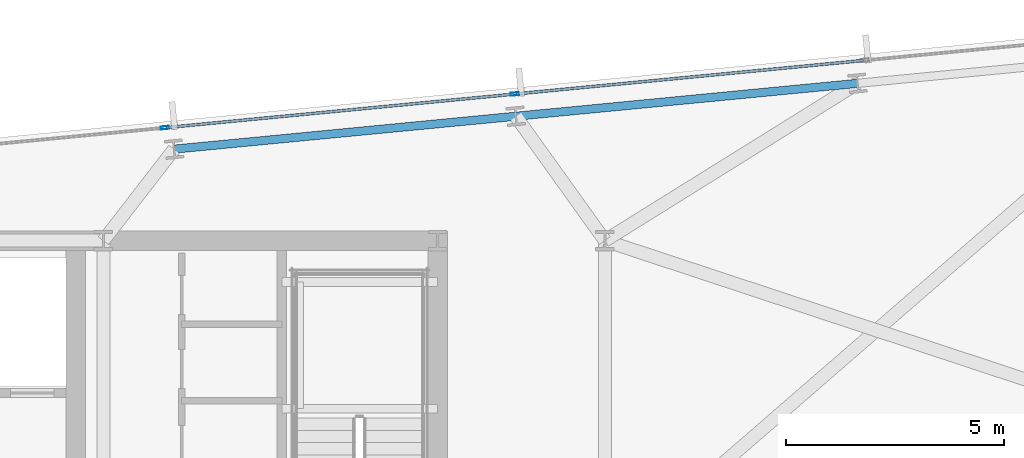
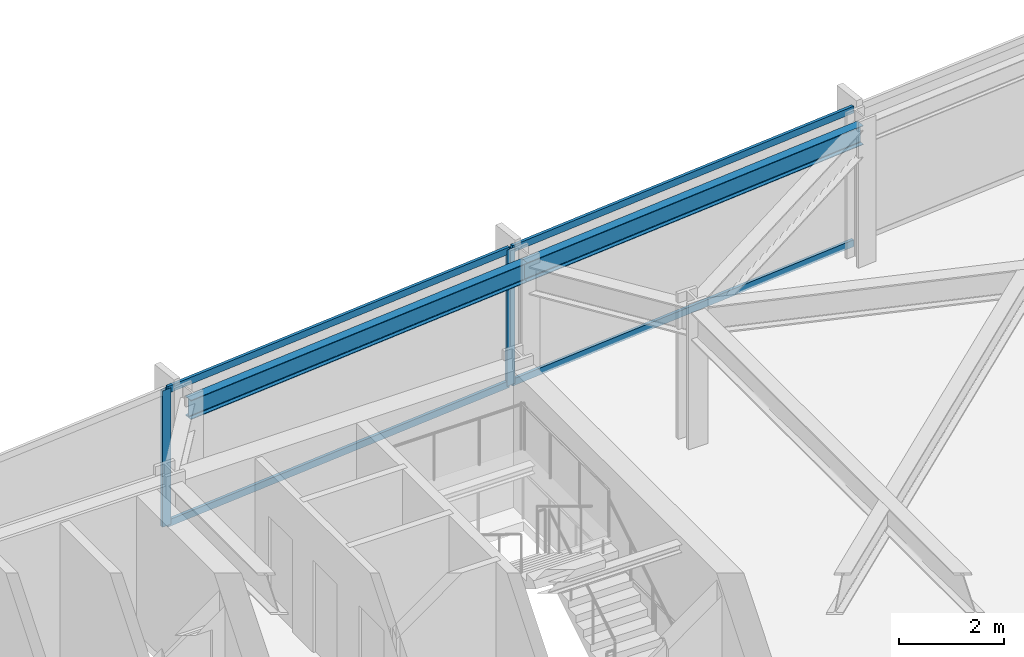
# One storey, part 21 of 33: 6 members, 2 beams, 1 element without a shape of its own.
"""IFC4 building model written with IfcOpenShell, lengths in metres."""

from ifc_helpers import new_model, si_unit, direction, frame, origin, origin_2d, place, context, subcontext, project, spatial, hollow_rectangle, i_section, extrude, material, material_profile, profile_set, type_object, element, aggregate, save


model = new_model("IFC4")

# Units and contexts
model_context = context("Model", 3, precision=1e-05, world=origin(), true_north=direction((0.0, 1.0)))
body_context = subcontext(model_context, "Body", "Model", "MODEL_VIEW")
ifc_project = project(units=[si_unit("LENGTHUNIT", "METRE"), si_unit("AREAUNIT", "SQUARE_METRE"), si_unit("VOLUMEUNIT", "CUBIC_METRE"), si_unit("PLANEANGLEUNIT", "RADIAN"), si_unit("MASSUNIT", "GRAM", prefix="KILO")], contexts=[model_context])

# Site, building, storey
site_placement = place(None, origin())
site = spatial("IfcSite", under=ifc_project, at=site_placement, CompositionType="ELEMENT")
building_placement = place(site_placement, origin())
building = spatial("IfcBuilding", under=site, at=building_placement, Name="Yelkora Congress Tower", CompositionType="ELEMENT")
storey_placement = place(building_placement, frame((0.0, 0.0, 127.10009765625)))
storey = spatial("IfcBuildingStorey", under=building, at=storey_placement, Name="L34", CompositionType="ELEMENT", Elevation=127.10009765625)

# Beams
ifc_material_1 = material(Name="Steel S355J2", Category="steel")
ifc_material_profile_1 = material_profile(ifc_material_1, i_section(OverallWidth=0.18994140625, OverallDepth=0.449951171875, WebThickness=0.009521484375, FlangeThickness=0.0146484375, FilletRadius=0.02099609375, at=origin_2d()), Name="IPE 450")
ifc_profile_set_1 = profile_set([ifc_material_profile_1], Name="Steel S355J2")
beam_type = type_object("IfcBeamType", Name="BM-SPAN-IPE450", PredefinedType="SPANDREL", material=ifc_profile_set_1)
for number, where, z_axis, x_axis, name in (
    (1, (63.4033203125, 49.81201171875, 2.954833984375), (-0.995398529126, -0.09582154358, 0.0), (0.09582154358, -0.995398529126, 0.0), "L34 Perimeter Beam 15"),
    (2, (55.553955078125, 49.056396484375, 2.954833984375), (-0.995395575667, -0.095852219286, 0.0), (0.095852219286, -0.995395575667, 0.0), "L34 Perimeter Beam 16"),
):
    element("IfcBeam", number, at=place(storey_placement, frame(where, z_axis=z_axis, x_axis=x_axis)), inside=storey, type_object=beam_type, Name=name, PredefinedType="SPANDREL", context=body_context, shape_type="SweptSolid", body=[
        extrude(i_section(OverallWidth=0.18994140625, OverallDepth=0.449951171875, WebThickness=0.009521484375, FlangeThickness=0.0146484375, FilletRadius=0.02099609375, at=origin_2d()), origin(), (0.0, 0.0, 1.0), 7.8857421875),
    ])

# Curtain wall, members
ifc_material_2 = material(Name="Anodised aluminium and insulated glass", Category="aluminium")
curtain_wall_type = type_object("IfcCurtainWallType", Name="CW-SYS-B2", PredefinedType="NOTDEFINED", material=ifc_material_2)
curtain_wall_placement = place(storey_placement, origin())
curtain_wall = element("IfcCurtainWall", 3, at=curtain_wall_placement, inside=storey, type_object=curtain_wall_type, Name="L34 Unitised Curtain Wall 10 (3)", PredefinedType="NOTDEFINED")
ifc_material_3 = material(Name="Anodised aluminium 6063-T6", Category="aluminium")
ifc_material_profile_2 = material_profile(ifc_material_3, hollow_rectangle(XDim=0.070068359375, YDim=0.18994140625, WallThickness=0.00390625, at=origin_2d()), Name="ALU 70x190x4")
ifc_profile_set_2 = profile_set([ifc_material_profile_2], Name="Anodised aluminium 6063-T6")
member_type_1 = type_object("IfcMemberType", Name="MEM-ML-B2", PredefinedType="MULLION", material=ifc_profile_set_2)
member_1_placement = place(storey_placement, frame((47.491943359375, 48.79248046875, 0.0), z_axis=(0.0, 0.0, 1.0), x_axis=(-0.095844238468, 0.995396344153, 0.0)))
member_1 = element("IfcMember", 4, at=member_1_placement, type_object=member_type_1, Name="CW-B2 mullion 4", PredefinedType="MULLION", context=body_context, shape_type="SweptSolid", body=[
    extrude(hollow_rectangle(XDim=0.070068359375, YDim=0.18994140625, WallThickness=0.00390625, at=origin_2d()), origin(), (0.0, 0.0, 1.0), 3.179931640625),
])
member_2_placement = place(storey_placement, frame((55.531982421875, 49.566650390625, 0.0), z_axis=(0.0, 0.0, 1.0), x_axis=(-0.095844238468, 0.995396344153, 0.0)))
member_2 = element("IfcMember", 5, at=member_2_placement, type_object=member_type_1, Name="CW-B2 mullion 5", PredefinedType="MULLION", context=body_context, shape_type="SweptSolid", body=[
    extrude(hollow_rectangle(XDim=0.070068359375, YDim=0.18994140625, WallThickness=0.00390625, at=origin_2d()), origin(), (0.0, 0.0, 1.0), 3.179931640625),
])
ifc_material_profile_3 = material_profile(ifc_material_3, hollow_rectangle(XDim=0.06494140625, YDim=0.159912109375, WallThickness=0.00390625, at=origin_2d()), Name="ALU 65x160x4")
ifc_profile_set_3 = profile_set([ifc_material_profile_3], Name="Anodised aluminium 6063-T6")
member_type_2 = type_object("IfcMemberType", Name="MEM-TR-B2", PredefinedType="USERDEFINED", material=ifc_profile_set_3)
member_3_placement = place(storey_placement, frame((47.52685546875, 48.7958984375, 0.032470703125), z_axis=(0.995397513894, 0.095832089266, 0.0), x_axis=(-0.095832089266, 0.995397513894, 0.0)))
member_3 = element("IfcMember", 6, at=member_3_placement, type_object=member_type_2, Name="CW-B2 transom 4.1", ObjectType="TRANSOM", PredefinedType="USERDEFINED", context=body_context, shape_type="SweptSolid", body=[
    extrude(hollow_rectangle(XDim=0.06494140625, YDim=0.159912109375, WallThickness=0.00390625, at=origin_2d()), origin(), (0.0, 0.0, 1.0), 8.007080078125),
])
member_4_placement = place(storey_placement, frame((47.52685546875, 48.7958984375, 3.1474609375), z_axis=(0.995397513894, 0.095832089266, 0.0), x_axis=(-0.095832089266, 0.995397513894, 0.0)))
member_4 = element("IfcMember", 7, at=member_4_placement, type_object=member_type_2, Name="CW-B2 transom 4.2", ObjectType="TRANSOM", PredefinedType="USERDEFINED", context=body_context, shape_type="SweptSolid", body=[
    extrude(hollow_rectangle(XDim=0.06494140625, YDim=0.159912109375, WallThickness=0.00390625, at=origin_2d()), origin(), (0.0, 0.0, 1.0), 8.007080078125),
])
member_5_placement = place(storey_placement, frame((55.566650390625, 49.570068359375, 0.032470703125), z_axis=(0.995397793901, 0.09582918082, 0.0), x_axis=(-0.09582918082, 0.995397793901, 0.0)))
member_5 = element("IfcMember", 8, at=member_5_placement, type_object=member_type_2, Name="CW-B2 transom 5.1", ObjectType="TRANSOM", PredefinedType="USERDEFINED", context=body_context, shape_type="SweptSolid", body=[
    extrude(hollow_rectangle(XDim=0.06494140625, YDim=0.159912109375, WallThickness=0.00390625, at=origin_2d()), origin(), (0.0, 0.0, 1.0), 8.00732421875),
])
member_6_placement = place(storey_placement, frame((55.566650390625, 49.570068359375, 3.1474609375), z_axis=(0.995397793901, 0.09582918082, 0.0), x_axis=(-0.09582918082, 0.995397793901, 0.0)))
member_6 = element("IfcMember", 9, at=member_6_placement, type_object=member_type_2, Name="CW-B2 transom 5.2", ObjectType="TRANSOM", PredefinedType="USERDEFINED", context=body_context, shape_type="SweptSolid", body=[
    extrude(hollow_rectangle(XDim=0.06494140625, YDim=0.159912109375, WallThickness=0.00390625, at=origin_2d()), origin(), (0.0, 0.0, 1.0), 8.00732421875),
])
aggregate(curtain_wall, [member_1, member_2, member_3, member_4, member_5, member_6])

save(model, "model.ifc")
